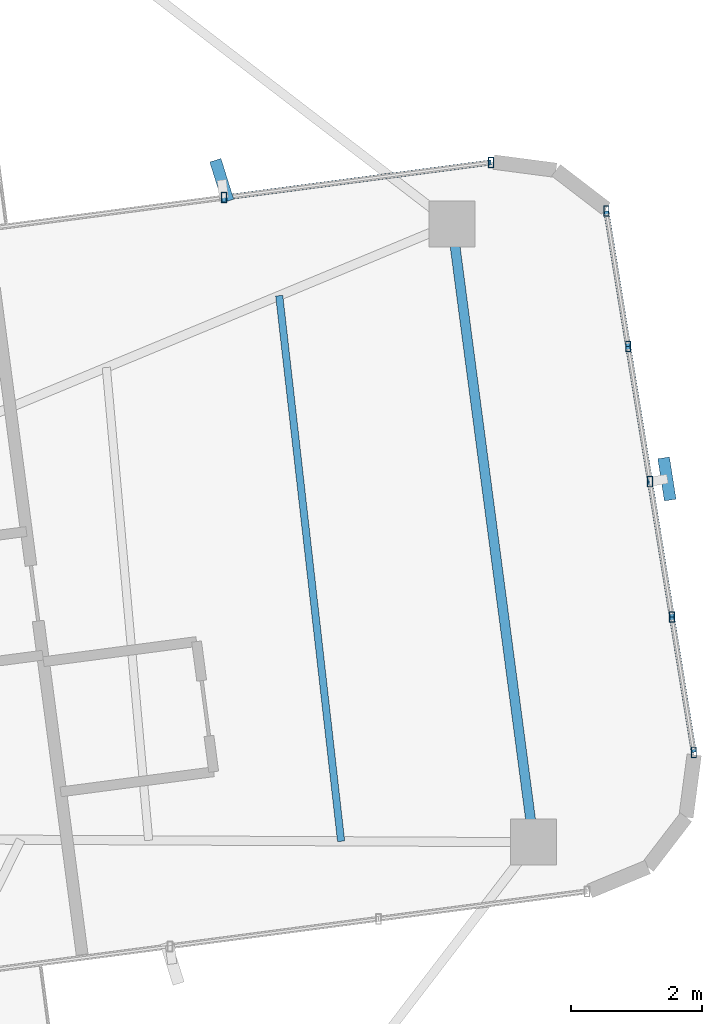
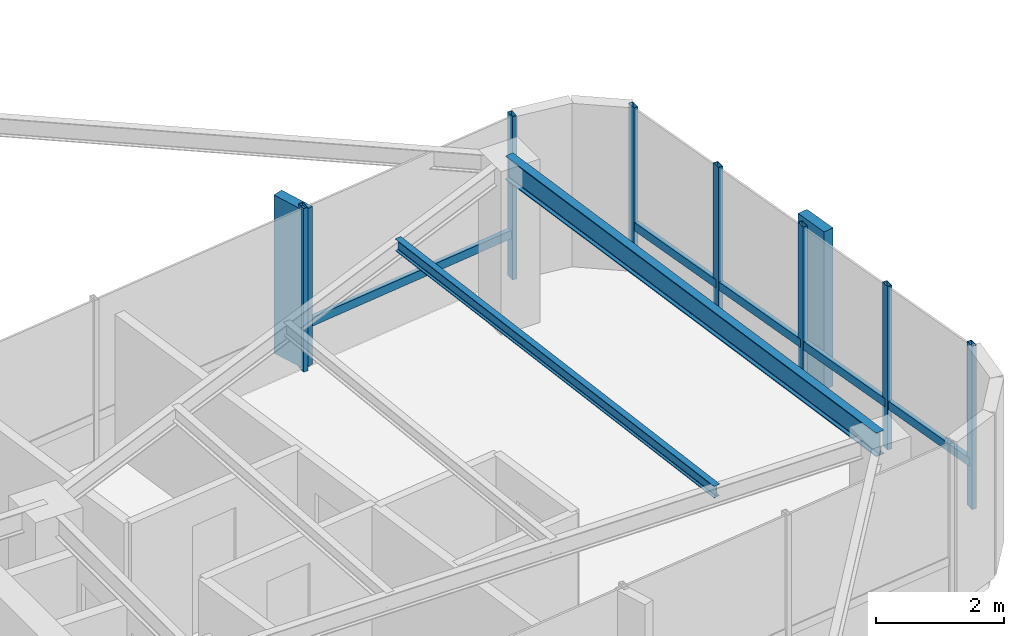
# One storey, part 13 of 22: 14 members, 2 beams, 2 elements without a shape of their own.
"""IFC4 building model written with IfcOpenShell, lengths in metres."""

from ifc_helpers import new_model, si_unit, direction, frame, origin, origin_2d, place, context, subcontext, project, spatial, rectangle, hollow_rectangle, i_section, extrude, source, transform, mapped, material, material_profile, profile_set, type_object, element, aggregate, save


model = new_model("IFC4")

# Units and contexts
model_context = context("Model", 3, precision=1e-05, world=origin(), true_north=direction((0.0, 1.0)))
body_context = subcontext(model_context, "Body", "Model", "MODEL_VIEW")
ifc_project = project(units=[si_unit("LENGTHUNIT", "METRE"), si_unit("AREAUNIT", "SQUARE_METRE"), si_unit("VOLUMEUNIT", "CUBIC_METRE"), si_unit("PLANEANGLEUNIT", "RADIAN"), si_unit("MASSUNIT", "GRAM", prefix="KILO")], contexts=[model_context])

# Site, building, storey
site_placement = place(None, origin())
site = spatial("IfcSite", under=ifc_project, at=site_placement, CompositionType="ELEMENT")
building_placement = place(site_placement, origin())
building = spatial("IfcBuilding", under=site, at=building_placement, Name="Sahyath Konkavel Grand Hotel", CompositionType="ELEMENT")
storey_placement = place(building_placement, frame((0.0, 0.0, 257.89990234375)))
storey = spatial("IfcBuildingStorey", under=building, at=storey_placement, Name="L72", CompositionType="ELEMENT", Elevation=257.89990234375)

# Beams
ifc_material_1 = material(Name="Steel E350", Category="steel")
ifc_material_profile_1 = material_profile(ifc_material_1, i_section(OverallWidth=0.14990234375, OverallDepth=0.449951171875, WebThickness=0.009521484375, FlangeThickness=0.017333984375, FilletRadius=0.014892578125, at=origin_2d()), Name="ISMB 450")
ifc_profile_set_1 = profile_set([ifc_material_profile_1], Name="Steel E350")
beam_type_1 = type_object("IfcBeamType", Name="BM-ISMB450", PredefinedType="BEAM", material=ifc_profile_set_1)
shared_shape_1 = source(origin(), body_context, "Body", "SweptSolid", [
    extrude(i_section(OverallWidth=0.14990234375, OverallDepth=0.449951171875, WebThickness=0.009521484375, FlangeThickness=0.017333984375, FilletRadius=0.014892578125, at=origin_2d()), origin(), (0.0, 0.0, 1.0), 9.5),
])
beam_1_placement = place(storey_placement, frame((17.71240234375, -2.458984375, 2.885009765625), z_axis=(-0.130525643939, 0.991444933556, 0.0), x_axis=(-0.991444933556, -0.130525643939, 0.0)))
element("IfcBeam", 1, at=beam_1_placement, inside=storey, type_object=beam_type_1, Name="L72 Wing Tip Edge Beam E", PredefinedType="BEAM", context=body_context, shape_type="MappedRepresentation", body=[
    mapped(shared_shape_1, transform((0.0, 0.0, 0.0), scale=1.0)),
])
ifc_material_profile_2 = material_profile(ifc_material_1, i_section(OverallWidth=0.110107421875, OverallDepth=0.22509765625, WebThickness=0.006591796875, FlangeThickness=0.01171875, FilletRadius=0.011962890625, at=origin_2d()), Name="ISMB 225")
ifc_profile_set_2 = profile_set([ifc_material_profile_2], Name="Steel E350")
beam_type_2 = type_object("IfcBeamType", Name="BM-ISMB225", PredefinedType="BEAM", material=ifc_profile_set_2)
shared_shape_2 = source(origin(), body_context, "Body", "SweptSolid", [
    extrude(i_section(OverallWidth=0.110107421875, OverallDepth=0.22509765625, WebThickness=0.006591796875, FlangeThickness=0.01171875, FilletRadius=0.011962890625, at=origin_2d()), origin(), (0.0, 0.0, 1.0), 8.36328125),
])
beam_2_placement = place(storey_placement, frame((14.781494140625, -2.44482421875, 2.99755859375), z_axis=(-0.112680437677, 0.99363127918, 0.0), x_axis=(-0.99363127918, -0.112680437677, 0.0)))
element("IfcBeam", 2, at=beam_2_placement, inside=storey, type_object=beam_type_2, Name="L72 Secondary Floor Beam E-3", PredefinedType="BEAM", context=body_context, shape_type="MappedRepresentation", body=[
    mapped(shared_shape_2, transform((0.0, 0.0, 0.0), scale=1.0)),
])

# Curtain wall, member
ifc_material_2 = material(Name="Anodised Bronze Aluminium & Low-E Glazing", Category="aluminium")
curtain_wall_type = type_object("IfcCurtainWallType", Name="CW-ZONE4", PredefinedType="NOTDEFINED", material=ifc_material_2)
curtain_wall_1_placement = place(storey_placement, origin())
curtain_wall_1 = element("IfcCurtainWall", 3, at=curtain_wall_1_placement, inside=storey, type_object=curtain_wall_type, Name="L72 Unitised Curtain Wall F4", PredefinedType="NOTDEFINED")
ifc_material_3 = material(Name="Warm Buff Sandstone Cladding on Concrete C50/60", Category="masonry")
ifc_material_profile_3 = material_profile(ifc_material_3, rectangle(XDim=0.179931640625, YDim=0.64990234375, at=origin_2d()), Name="FIN 180x650")
ifc_profile_set_3 = profile_set([ifc_material_profile_3], Name="Warm Buff Sandstone Cladding on Concrete C50/60")
member_type_1 = type_object("IfcMemberType", Name="FIN-SANDSTONE-650", PredefinedType="MULLION", material=ifc_profile_set_3)
shared_shape_3 = source(origin(), body_context, "Body", "SweptSolid", [
    extrude(rectangle(XDim=0.179931640625, YDim=0.64990234375, at=origin_2d()), origin(), (0.0, 0.0, 1.0), 3.010009765625),
])
member_1_placement = place(storey_placement, frame((19.74365234375, 3.073486328125, 0.050048828125), z_axis=(0.0, 0.0, 1.0), x_axis=(0.987905801468, 0.155055239918, 0.0)))
member_1 = element("IfcMember", 4, at=member_1_placement, type_object=member_type_1, Name="L72 Sandstone Vertical Solar Fin FIN F4-2", PredefinedType="MULLION", context=body_context, shape_type="MappedRepresentation", body=[
    mapped(shared_shape_3, transform((0.0, 0.0, 0.0), scale=1.0)),
])

curtain_wall_2_placement = place(storey_placement, origin())
curtain_wall_2 = element("IfcCurtainWall", 5, at=curtain_wall_2_placement, inside=storey, type_object=curtain_wall_type, Name="L72 Unitised Curtain Wall F7", PredefinedType="NOTDEFINED")
member_2_placement = place(storey_placement, frame((12.96337890625, 7.6171875, 0.050048828125), z_axis=(0.0, 0.0, 1.0), x_axis=(0.954448865814, 0.298374534012, 0.0)))
member_2 = element("IfcMember", 6, at=member_2_placement, type_object=member_type_1, Name="L72 Sandstone Vertical Solar Fin FIN F7-1", PredefinedType="MULLION", context=body_context, shape_type="MappedRepresentation", body=[
    mapped(shared_shape_3, transform((0.0, 0.0, 0.0), scale=1.0)),
])

# Member
ifc_material_4 = material(Name="Anodised Bronze Aluminium", Category="aluminium")
ifc_material_profile_4 = material_profile(ifc_material_4, hollow_rectangle(XDim=0.080078125, YDim=0.159912109375, WallThickness=0.006103515625, at=origin_2d()), Name="RHS 160x80x6")
ifc_profile_set_4 = profile_set([ifc_material_profile_4], Name="Anodised Bronze Aluminium")
member_type_2 = type_object("IfcMemberType", Name="CW-MUL-160", PredefinedType="MULLION", material=ifc_profile_set_4)
shared_shape_4 = source(origin(), body_context, "Body", "SweptSolid", [
    extrude(hollow_rectangle(XDim=0.080078125, YDim=0.159912109375, WallThickness=0.006103515625, at=origin_2d()), origin(), (0.0, 0.0, 1.0), 3.110107421875),
])
member_3_placement = place(storey_placement, frame((20.1533203125, -1.0888671875, 0.0), z_axis=(0.0, 0.0, 1.0), x_axis=(1.0, 0.0, 0.0)))
member_3 = element("IfcMember", 7, at=member_3_placement, type_object=member_type_2, Name="L72 Curtain Wall Mullion F4-0", PredefinedType="MULLION", context=body_context, shape_type="MappedRepresentation", body=[
    mapped(shared_shape_4, transform((0.0, 0.0, 0.0), scale=1.0)),
])

member_4_placement = place(storey_placement, frame((19.8203125, 0.9716796875, 0.0), z_axis=(0.0, 0.0, 1.0), x_axis=(1.0, 0.0, 0.0)))
member_4 = element("IfcMember", 8, at=member_4_placement, type_object=member_type_2, Name="L72 Curtain Wall Mullion F4-1", PredefinedType="MULLION", context=body_context, shape_type="MappedRepresentation", body=[
    mapped(shared_shape_4, transform((0.0, 0.0, 0.0), scale=1.0)),
])

member_5_placement = place(storey_placement, frame((19.487060546875, 3.031982421875, 0.0), z_axis=(0.0, 0.0, 1.0), x_axis=(1.0, 0.0, 0.0)))
member_5 = element("IfcMember", 9, at=member_5_placement, type_object=member_type_2, Name="L72 Curtain Wall Mullion F4-2", PredefinedType="MULLION", context=body_context, shape_type="MappedRepresentation", body=[
    mapped(shared_shape_4, transform((0.0, 0.0, 0.0), scale=1.0)),
])

member_6_placement = place(storey_placement, frame((19.15380859375, 5.09228515625, 0.0), z_axis=(0.0, 0.0, 1.0), x_axis=(1.0, 0.0, 0.0)))
member_6 = element("IfcMember", 10, at=member_6_placement, type_object=member_type_2, Name="L72 Curtain Wall Mullion F4-3", PredefinedType="MULLION", context=body_context, shape_type="MappedRepresentation", body=[
    mapped(shared_shape_4, transform((0.0, 0.0, 0.0), scale=1.0)),
])

member_7_placement = place(storey_placement, frame((18.82080078125, 7.15283203125, 0.0), z_axis=(0.0, 0.0, 1.0), x_axis=(1.0, 0.0, 0.0)))
member_7 = element("IfcMember", 11, at=member_7_placement, type_object=member_type_2, Name="L72 Curtain Wall Mullion F4-4", PredefinedType="MULLION", context=body_context, shape_type="MappedRepresentation", body=[
    mapped(shared_shape_4, transform((0.0, 0.0, 0.0), scale=1.0)),
])

member_8_placement = place(storey_placement, frame((17.0654296875, 7.89501953125, 0.0), z_axis=(0.0, 0.0, 1.0), x_axis=(1.0, 0.0, 0.0)))
member_8 = element("IfcMember", 12, at=member_8_placement, type_object=member_type_2, Name="L72 Curtain Wall Mullion F7-0", PredefinedType="MULLION", context=body_context, shape_type="MappedRepresentation", body=[
    mapped(shared_shape_4, transform((0.0, 0.0, 0.0), scale=1.0)),
])

member_9_placement = place(storey_placement, frame((12.997314453125, 7.359619140625, 0.0), z_axis=(0.0, 0.0, 1.0), x_axis=(1.0, 0.0, 0.0)))
member_9 = element("IfcMember", 13, at=member_9_placement, type_object=member_type_2, Name="L72 Curtain Wall Mullion F7-1", PredefinedType="MULLION", context=body_context, shape_type="MappedRepresentation", body=[
    mapped(shared_shape_4, transform((0.0, 0.0, 0.0), scale=1.0)),
])

ifc_material_profile_5 = material_profile(ifc_material_4, hollow_rectangle(XDim=0.080078125, YDim=0.159912109375, WallThickness=0.006103515625, at=origin_2d()), Name="RHS 160x80x6")
ifc_profile_set_5 = profile_set([ifc_material_profile_5], Name="Anodised Bronze Aluminium")
member_type_3 = type_object("IfcMemberType", Name="CW-TRN-160", PredefinedType="USERDEFINED", material=ifc_profile_set_5)
shared_shape_5 = source(origin(), body_context, "Body", "SweptSolid", [
    extrude(hollow_rectangle(XDim=0.080078125, YDim=0.159912109375, WallThickness=0.006103515625, at=origin_2d()), origin(), (0.0, 0.0, 1.0), 2.08740234375),
])
member_10_placement = place(storey_placement, frame((20.1533203125, -1.0888671875, 0.85009765625), z_axis=(-0.159541334591, 0.98719124923, 0.0), x_axis=(-0.98719124923, -0.159541334591, 0.0)))
member_10 = element("IfcMember", 14, at=member_10_placement, type_object=member_type_3, Name="L72 Curtain Wall Transom F4-0-spandrel", ObjectType="TRANSOM", PredefinedType="USERDEFINED", context=body_context, shape_type="MappedRepresentation", body=[
    mapped(shared_shape_5, transform((0.0, 0.0, 0.0), scale=1.0)),
])

member_11_placement = place(storey_placement, frame((19.15380859375, 5.09228515625, 0.85009765625), z_axis=(-0.159541334591, 0.98719124923, 0.0), x_axis=(-0.98719124923, -0.159541334591, 0.0)))
member_11 = element("IfcMember", 15, at=member_11_placement, type_object=member_type_3, Name="L72 Curtain Wall Transom F4-3-spandrel", ObjectType="TRANSOM", PredefinedType="USERDEFINED", context=body_context, shape_type="MappedRepresentation", body=[
    mapped(shared_shape_5, transform((0.0, 0.0, 0.0), scale=1.0)),
])

shared_shape_6 = source(origin(), body_context, "Body", "SweptSolid", [
    extrude(hollow_rectangle(XDim=0.080078125, YDim=0.159912109375, WallThickness=0.006103515625, at=origin_2d()), origin(), (0.0, 0.0, 1.0), 2.087158203125),
])
member_12_placement = place(storey_placement, frame((19.8203125, 0.9716796875, 0.85009765625), z_axis=(-0.159673756436, 0.98716983924, 0.0), x_axis=(-0.98716983924, -0.159673756436, 0.0)))
member_12 = element("IfcMember", 16, at=member_12_placement, type_object=member_type_3, Name="L72 Curtain Wall Transom F4-1-spandrel", ObjectType="TRANSOM", PredefinedType="USERDEFINED", context=body_context, shape_type="MappedRepresentation", body=[
    mapped(shared_shape_6, transform((0.0, 0.0, 0.0), scale=1.0)),
])

member_13_placement = place(storey_placement, frame((19.487060546875, 3.031982421875, 0.85009765625), z_axis=(-0.159673756436, 0.98716983924, 0.0), x_axis=(-0.98716983924, -0.159673756436, 0.0)))
member_13 = element("IfcMember", 17, at=member_13_placement, type_object=member_type_3, Name="L72 Curtain Wall Transom F4-2-spandrel", ObjectType="TRANSOM", PredefinedType="USERDEFINED", context=body_context, shape_type="MappedRepresentation", body=[
    mapped(shared_shape_6, transform((0.0, 0.0, 0.0), scale=1.0)),
])

aggregate(curtain_wall_1, [member_3, member_4, member_5, member_1, member_6, member_7, member_10, member_12, member_13, member_11])

shared_shape_7 = source(origin(), body_context, "Body", "SweptSolid", [
    extrude(hollow_rectangle(XDim=0.080078125, YDim=0.159912109375, WallThickness=0.006103515625, at=origin_2d()), origin(), (0.0, 0.0, 1.0), 4.103271484375),
])
member_14_placement = place(storey_placement, frame((17.0654296875, 7.89501953125, 0.85009765625), z_axis=(-0.991450447248, -0.130483756275, 0.0), x_axis=(0.130483756275, -0.991450447248, 0.0)))
member_14 = element("IfcMember", 18, at=member_14_placement, type_object=member_type_3, Name="L72 Curtain Wall Transom F7-0-spandrel", ObjectType="TRANSOM", PredefinedType="USERDEFINED", context=body_context, shape_type="MappedRepresentation", body=[
    mapped(shared_shape_7, transform((0.0, 0.0, 0.0), scale=1.0)),
])

aggregate(curtain_wall_2, [member_8, member_9, member_2, member_14])

save(model, "model.ifc")
